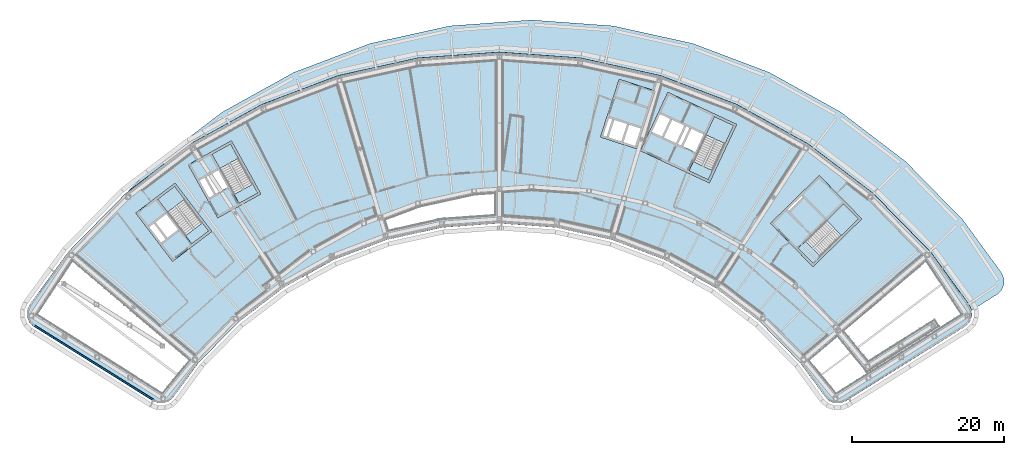
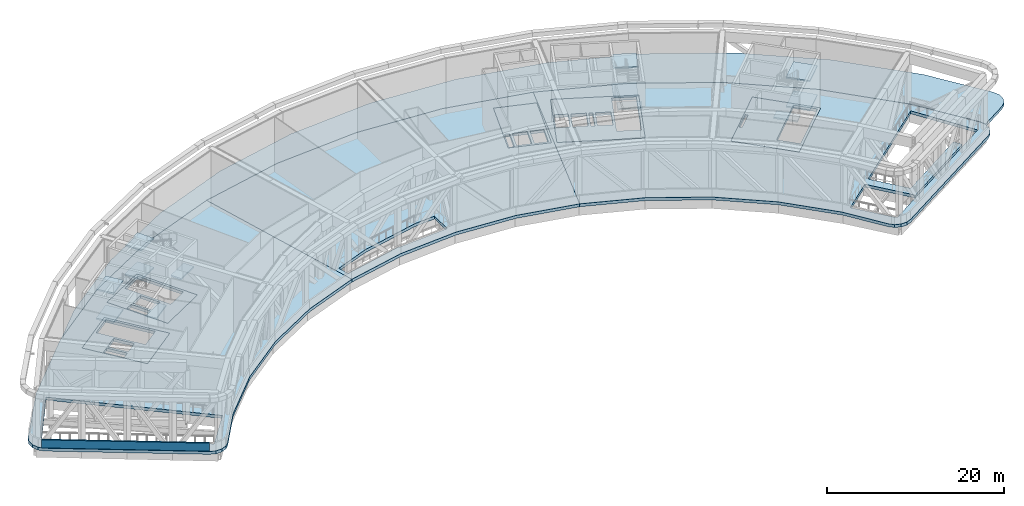
# One storey, part 6 of 24: 21 slabs, 1 wall, 4 elements without a shape of their own.
"""IFC4 building model written with IfcOpenShell, lengths in metres."""

from ifc_helpers import new_model, si_unit, direction, frame, frame_2d, origin, place, context, subcontext, project, spatial, polyline, rectangle, outline, extrude, material, layer, layer_set, type_object, element, aggregate, save


model = new_model("IFC4")

# Units and contexts
model_context = context("Model", 3, precision=1e-05, world=origin(), true_north=direction((0.0, 1.0)))
body_context = subcontext(model_context, "Body", "Model", "MODEL_VIEW")
ifc_project = project(units=[si_unit("LENGTHUNIT", "METRE"), si_unit("AREAUNIT", "SQUARE_METRE"), si_unit("VOLUMEUNIT", "CUBIC_METRE"), si_unit("PLANEANGLEUNIT", "RADIAN"), si_unit("MASSUNIT", "GRAM", prefix="KILO")], contexts=[model_context])

# Site, building, storey
site_placement = place(None, origin())
site = spatial("IfcSite", under=ifc_project, at=site_placement, CompositionType="ELEMENT")
building_placement = place(site_placement, origin())
building = spatial("IfcBuilding", under=site, at=building_placement, Name="Tuul Gate Civic Tower", CompositionType="ELEMENT")
storey_placement = place(building_placement, frame((0.0, 0.0, 277.800048828125)))
storey = spatial("IfcBuildingStorey", under=building, at=storey_placement, Name="Wind floor 2", CompositionType="ELEMENT", Elevation=277.800048828125)

# Slabs
ifc_material_1 = material(Name="Concrete C40/50", Category="concrete")
ifc_layer_1 = layer(ifc_material_1, 0.39990234375)
ifc_layer_set_1 = layer_set([ifc_layer_1], Name="Concrete C40/50")
slab_type_1 = type_object("IfcSlabType", Name="Core floor slab 400", PredefinedType="FLOOR", material=ifc_layer_set_1)
slab_1_placement = place(storey_placement, frame((0.0, 0.0, -0.400146484375)))
element("IfcSlab", 1, at=slab_1_placement, inside=storey, type_object=slab_type_1, Name="FLOOR SLAB", PredefinedType="FLOOR", context=body_context, shape_type="SweptSolid", body=[
    extrude(outline(polyline([(-31.10009765625, -13.7890625), (-35.946044921875, -7.423828125), (-41.11767578125, -11.361572265625), (-36.271484375, -17.726806640625), (-31.10009765625, -13.7890625)]), holes=[polyline([(-35.561767578125, -13.541259765625), (-37.1064453125, -11.512451171875), (-38.498779296875, -12.572509765625), (-36.9541015625, -14.6015625), (-35.561767578125, -13.541259765625)]), polyline([(-37.19287109375, -14.783203125), (-38.737548828125, -12.75439453125), (-39.45361328125, -13.299560546875), (-37.908935546875, -15.328369140625), (-37.19287109375, -14.783203125)]), polyline([(-32.33935546875, -12.65771484375), (-34.56591796875, -14.352783203125), (-38.229736328125, -9.54052734375), (-36.003173828125, -7.845458984375), (-32.33935546875, -12.65771484375)])]), origin(), (0.0, 0.0, 1.0), 0.400146484375),
])
slab_2_placement = place(storey_placement, frame((0.0, 0.0, -0.400146484375)))
element("IfcSlab", 2, at=slab_2_placement, inside=storey, type_object=slab_type_1, Name="FLOOR SLAB", PredefinedType="FLOOR", context=body_context, shape_type="SweptSolid", body=[
    extrude(outline(polyline([(-24.638916015625, -8.846923828125), (-28.51708984375, -1.849853515625), (-34.2021484375, -5.0009765625), (-30.32421875, -11.998046875), (-24.638916015625, -8.846923828125)]), holes=[polyline([(-29.0185546875, -7.958740234375), (-30.254638671875, -5.728515625), (-31.785400390625, -6.576904296875), (-30.54931640625, -8.80712890625), (-29.0185546875, -7.958740234375)]), polyline([(-30.8115234375, -8.95263671875), (-32.047607421875, -6.72216796875), (-32.8349609375, -7.158447265625), (-31.5986328125, -9.388916015625), (-30.8115234375, -8.95263671875)]), polyline([(-25.702392578125, -7.548828125), (-28.14990234375, -8.905517578125), (-31.08203125, -3.615234375), (-28.63427734375, -2.2587890625), (-25.702392578125, -7.548828125)])]), origin(), (0.0, 0.0, 1.0), 0.400146484375),
])
slab_3_placement = place(storey_placement, frame((0.0, 0.0, -0.400146484375)))
element("IfcSlab", 3, at=slab_3_placement, inside=storey, type_object=slab_type_1, Name="FLOOR SLAB", PredefinedType="FLOOR", context=body_context, shape_type="SweptSolid", body=[
    extrude(outline(polyline([(48.117919921875, -18.43310546875), (54.545166015625, -12.1328125), (48.945068359375, -6.419921875), (42.517822265625, -12.719970703125), (48.117919921875, -18.43310546875)]), holes=[polyline([(44.93896484375, -11.046875), (46.760009765625, -9.261962890625), (46.514892578125, -9.011962890625), (44.69384765625, -10.797119140625), (44.93896484375, -11.046875)]), polyline([(49.086181640625, -17.062744140625), (47.12744140625, -15.064208984375), (52.160888671875, -10.130126953125), (54.11962890625, -12.128662109375), (49.086181640625, -17.062744140625)])]), origin(), (0.0, 0.0, 1.0), 0.400146484375),
])
slab_4_placement = place(storey_placement, frame((0.0, 0.0, -0.400146484375)))
element("IfcSlab", 4, at=slab_4_placement, inside=storey, type_object=slab_type_1, Name="FLOOR SLAB", PredefinedType="FLOOR", context=body_context, shape_type="SweptSolid", body=[
    extrude(outline(polyline([(34.465087890625, -7.385986328125), (38.056884765625, 0.31787109375), (28.993896484375, 4.543701171875), (25.40185546875, -3.159912109375), (34.465087890625, -7.385986328125)]), holes=[polyline([(32.60888671875, -3.32080078125), (33.6865234375, -1.009765625), (32.1005859375, -0.27001953125), (31.02294921875, -2.581298828125), (32.60888671875, -3.32080078125)]), polyline([(30.0712890625, -2.137451171875), (31.14892578125, 0.173583984375), (29.562744140625, 0.9130859375), (28.4853515625, -1.39794921875), (30.0712890625, -2.137451171875)]), polyline([(30.751220703125, -2.454345703125), (31.82861328125, -0.143310546875), (31.4208984375, 0.046875), (30.34326171875, -2.264404296875), (30.751220703125, -2.454345703125)]), polyline([(28.21337890625, -1.27099609375), (29.291015625, 1.0400390625), (27.8408203125, 1.71630859375), (26.76318359375, -0.594970703125), (28.21337890625, -1.27099609375)]), polyline([(34.889892578125, -5.7626953125), (32.353759765625, -4.580078125), (35.120849609375, 1.354736328125), (37.6572265625, 0.17236328125), (34.889892578125, -5.7626953125)])]), origin(), (0.0, 0.0, 1.0), 0.400146484375),
])
ifc_material_2 = material(Name="Concrete C40/50", Category="concrete")
ifc_layer_2 = layer(ifc_material_2, 0.39990234375)
ifc_layer_set_2 = layer_set([ifc_layer_2], Name="Concrete C40/50")
slab_type_2 = type_object("IfcSlabType", Name="Core floor slab 400 non-bearing", PredefinedType="FLOOR", material=ifc_layer_set_2)
slab_5_placement = place(storey_placement, frame((0.0, 0.0, -0.400146484375)))
element("IfcSlab", 5, at=slab_5_placement, inside=storey, type_object=slab_type_2, Name="FLOOR SLAB", PredefinedType="FLOOR", context=body_context, shape_type="SweptSolid", body=[
    extrude(outline(polyline([(24.864990234375, -2.888916015625), (27.337890625, 4.71923828125), (22.58251953125, 6.264404296875), (20.109619140625, -1.343994140625), (24.864990234375, -2.888916015625)]), holes=[polyline([(24.67236328125, -2.510986328125), (25.414306640625, -0.228515625), (23.892578125, 0.265869140625), (23.150634765625, -2.0166015625), (24.67236328125, -2.510986328125)]), polyline([(22.865478515625, -1.923828125), (23.607177734375, 0.358642578125), (21.94287109375, 0.8994140625), (21.201171875, -1.383056640625), (22.865478515625, -1.923828125)]), polyline([(20.869384765625, -1.43310546875), (21.65771484375, 0.9921875), (21.0869140625, 1.177490234375), (20.298583984375, -1.24755859375), (20.869384765625, -1.43310546875)])]), origin(), (0.0, 0.0, 1.0), 0.400146484375),
])

# Stair, slabs
ifc_material_3 = material(Name="Concrete C40/50", Category="concrete")
stair_type = type_object("IfcStairType", Name="Exit stair", PredefinedType="HALF_TURN_STAIR", material=ifc_material_3)
stair_1_placement = place(storey_placement, origin())
stair_1 = element("IfcStair", 6, at=stair_1_placement, inside=storey, type_object=stair_type, Name="Wind floor 2 ST-1", PredefinedType="HALF_TURN_STAIR")
ifc_material_4 = material(Name="Concrete C40/50", Category="concrete")
ifc_layer_3 = layer(ifc_material_4, 0.199951171875)
ifc_layer_set_3 = layer_set([ifc_layer_3], Name="Concrete C40/50")
slab_type_3 = type_object("IfcSlabType", Name="Exit stair landing", PredefinedType="LANDING", material=ifc_layer_set_3)
slab_6_placement = place(storey_placement, frame((0.0, 0.0, 1.800048828125)))
slab_6 = element("IfcSlab", 7, at=slab_6_placement, type_object=slab_type_3, Name="ST-1 landing 1", PredefinedType="LANDING", context=body_context, shape_type="SweptSolid", body=[
    extrude(outline(polyline([(-34.699462890625, -9.554931640625), (-36.9287109375, -11.252197265625), (-38.23193359375, -9.540283203125), (-36.0029296875, -7.843017578125), (-34.699462890625, -9.554931640625)])), origin(), (0.0, 0.0, 1.0), 0.199951171875),
])
slab_7_placement = place(storey_placement, frame((0.0, 0.0, 3.800048828125)))
slab_7 = element("IfcSlab", 8, at=slab_7_placement, type_object=slab_type_3, Name="ST-1 landing 2", PredefinedType="LANDING", context=body_context, shape_type="SweptSolid", body=[
    extrude(outline(polyline([(-31.519287109375, -13.732177734375), (-33.748291015625, -15.42919921875), (-34.567138671875, -14.353759765625), (-32.338134765625, -12.65673828125), (-31.519287109375, -13.732177734375)])), origin(), (0.0, 0.0, 1.0), 0.199951171875),
])
slab_8_placement = place(storey_placement, frame((0.0, 0.0, 5.800048828125)))
slab_8 = element("IfcSlab", 9, at=slab_8_placement, type_object=slab_type_3, Name="ST-1 landing 3", PredefinedType="LANDING", context=body_context, shape_type="SweptSolid", body=[
    extrude(outline(polyline([(-34.699462890625, -9.554931640625), (-36.9287109375, -11.252197265625), (-38.23193359375, -9.540283203125), (-36.0029296875, -7.843017578125), (-34.699462890625, -9.554931640625)])), origin(), (0.0, 0.0, 1.0), 0.199951171875),
])
aggregate(stair_1, [slab_6, slab_7, slab_8])

stair_2_placement = place(storey_placement, origin())
stair_2 = element("IfcStair", 10, at=stair_2_placement, inside=storey, type_object=stair_type, Name="Wind floor 2 ST-2", PredefinedType="HALF_TURN_STAIR")
slab_9_placement = place(storey_placement, frame((0.0, 0.0, 1.800048828125)))
slab_9 = element("IfcSlab", 11, at=slab_9_placement, type_object=slab_type_3, Name="ST-2 landing 1", PredefinedType="LANDING", context=body_context, shape_type="SweptSolid", body=[
    extrude(outline(polyline([(-27.5908203125, -4.138427734375), (-30.041015625, -5.49658203125), (-31.084228515625, -3.61474609375), (-28.6337890625, -2.256591796875), (-27.5908203125, -4.138427734375)])), origin(), (0.0, 0.0, 1.0), 0.199951171875),
])
slab_10_placement = place(storey_placement, frame((0.0, 0.0, 3.800048828125)))
slab_10 = element("IfcSlab", 12, at=slab_10_placement, type_object=slab_type_3, Name="ST-2 landing 2", PredefinedType="LANDING", context=body_context, shape_type="SweptSolid", body=[
    extrude(outline(polyline([(-25.045654296875, -8.730224609375), (-27.49609375, -10.08837890625), (-28.1513671875, -8.90625), (-25.700927734375, -7.548095703125), (-25.045654296875, -8.730224609375)])), origin(), (0.0, 0.0, 1.0), 0.199951171875),
])
slab_11_placement = place(storey_placement, frame((0.0, 0.0, 5.800048828125)))
slab_11 = element("IfcSlab", 13, at=slab_11_placement, type_object=slab_type_3, Name="ST-2 landing 3", PredefinedType="LANDING", context=body_context, shape_type="SweptSolid", body=[
    extrude(outline(polyline([(-27.5908203125, -4.138427734375), (-30.041015625, -5.49658203125), (-31.084228515625, -3.61474609375), (-28.6337890625, -2.256591796875), (-27.5908203125, -4.138427734375)])), origin(), (0.0, 0.0, 1.0), 0.199951171875),
])
aggregate(stair_2, [slab_9, slab_10, slab_11])

stair_3_placement = place(storey_placement, origin())
stair_3 = element("IfcStair", 14, at=stair_3_placement, inside=storey, type_object=stair_type, Name="Wind floor 2 ST-3", PredefinedType="HALF_TURN_STAIR")
slab_12_placement = place(storey_placement, frame((0.0, 0.0, 1.800048828125)))
slab_12 = element("IfcSlab", 15, at=slab_12_placement, type_object=slab_type_3, Name="ST-3 landing 1", PredefinedType="LANDING", context=body_context, shape_type="SweptSolid", body=[
    extrude(outline(polyline([(51.871337890625, -14.3349609375), (49.91015625, -12.334228515625), (52.160888671875, -10.1279296875), (54.1220703125, -12.128662109375), (51.871337890625, -14.3349609375)])), origin(), (0.0, 0.0, 1.0), 0.199951171875),
])
slab_13_placement = place(storey_placement, frame((0.0, 0.0, 3.800048828125)))
slab_13 = element("IfcSlab", 16, at=slab_13_placement, type_object=slab_type_3, Name="ST-3 landing 2", PredefinedType="LANDING", context=body_context, shape_type="SweptSolid", body=[
    extrude(outline(polyline([(48.1220703125, -18.010009765625), (46.1611328125, -16.00927734375), (47.126220703125, -15.06298828125), (49.08740234375, -17.063720703125), (48.1220703125, -18.010009765625)])), origin(), (0.0, 0.0, 1.0), 0.199951171875),
])
slab_14_placement = place(storey_placement, frame((0.0, 0.0, 5.800048828125)))
slab_14 = element("IfcSlab", 17, at=slab_14_placement, type_object=slab_type_3, Name="ST-3 landing 3", PredefinedType="LANDING", context=body_context, shape_type="SweptSolid", body=[
    extrude(outline(polyline([(51.871337890625, -14.3349609375), (49.91015625, -12.334228515625), (52.160888671875, -10.1279296875), (54.1220703125, -12.128662109375), (51.871337890625, -14.3349609375)])), origin(), (0.0, 0.0, 1.0), 0.199951171875),
])
aggregate(stair_3, [slab_12, slab_13, slab_14])

stair_4_placement = place(storey_placement, origin())
stair_4 = element("IfcStair", 18, at=stair_4_placement, inside=storey, type_object=stair_type, Name="Wind floor 2 ST-4", PredefinedType="HALF_TURN_STAIR")
slab_15_placement = place(storey_placement, frame((0.0, 0.0, 1.800048828125)))
slab_15 = element("IfcSlab", 19, at=slab_15_placement, type_object=slab_type_3, Name="ST-4 landing 1", PredefinedType="LANDING", context=body_context, shape_type="SweptSolid", body=[
    extrude(outline(polyline([(36.538818359375, -2.230224609375), (33.999755859375, -1.046142578125), (35.1201171875, 1.35693359375), (37.659423828125, 0.173095703125), (36.538818359375, -2.230224609375)])), origin(), (0.0, 0.0, 1.0), 0.199951171875),
])
slab_16_placement = place(storey_placement, frame((0.0, 0.0, 3.800048828125)))
slab_16 = element("IfcSlab", 20, at=slab_16_placement, type_object=slab_type_3, Name="ST-4 landing 2", PredefinedType="LANDING", context=body_context, shape_type="SweptSolid", body=[
    extrude(outline(polyline([(34.3203125, -6.98828125), (31.781005859375, -5.804443359375), (32.352294921875, -4.57958984375), (34.891357421875, -5.763427734375), (34.3203125, -6.98828125)])), origin(), (0.0, 0.0, 1.0), 0.199951171875),
])
slab_17_placement = place(storey_placement, frame((0.0, 0.0, 5.800048828125)))
slab_17 = element("IfcSlab", 21, at=slab_17_placement, type_object=slab_type_3, Name="ST-4 landing 3", PredefinedType="LANDING", context=body_context, shape_type="SweptSolid", body=[
    extrude(outline(polyline([(36.538818359375, -2.230224609375), (33.999755859375, -1.046142578125), (35.1201171875, 1.35693359375), (37.659423828125, 0.173095703125), (36.538818359375, -2.230224609375)])), origin(), (0.0, 0.0, 1.0), 0.199951171875),
])
aggregate(stair_4, [slab_15, slab_16, slab_17])

# Slabs
ifc_material_5 = material(Name="Concrete C35/45", Category="concrete")
ifc_layer_4 = layer(ifc_material_5, 0.39990234375)
ifc_layer_set_4 = layer_set([ifc_layer_4], Name="Concrete C35/45")
slab_type_4 = type_object("IfcSlabType", Name="STR-FLOOR-SLAB-400", PredefinedType="FLOOR", material=ifc_layer_set_4)
slab_18_placement = place(storey_placement, frame((0.0, 0.0, -0.400146484375)))
element("IfcSlab", 22, at=slab_18_placement, inside=storey, type_object=slab_type_4, Name="Wind floor 2/slab/W", PredefinedType="FLOOR", context=body_context, shape_type="SweptSolid", body=[
    extrude(outline(polyline([(-8.02587890625, -14.883056640625), (-14.4599609375, 6.739013671875), (-24.528076171875, 2.930908203125), (-33.943115234375, -2.287109375), (-42.507080078125, -8.80810546875), (-50.04296875, -16.4951171875), (-55.123046875, -23.451904296875), (-55.4599609375, -24.195068359375), (-55.471923828125, -25.010009765625), (-55.156982421875, -25.762939453125), (-54.568115234375, -26.326904296875), (-38.837890625, -36.156005859375), (-38.14404296875, -36.427001953125), (-37.39892578125, -36.424072265625), (-36.70703125, -36.14892578125), (-36.1630859375, -35.639892578125), (-32.833984375, -31.08203125), (-27.580078125, -25.721923828125), (-21.60888671875, -21.176025390625), (-15.0458984375, -17.5380859375), (-8.02587890625, -14.883056640625)]), holes=[polyline([(-54.114013671875, -24.73095703125), (-49.467041015625, -17.7041015625), (-34.06201171875, -30.762939453125), (-37.6298828125, -35.111083984375), (-54.114013671875, -24.73095703125)]), polyline([(-36.27197265625, -17.72705078125), (-41.117919921875, -11.362060546875), (-35.946044921875, -7.424072265625), (-31.10009765625, -13.7890625), (-36.27197265625, -17.72705078125)]), polyline([(-30.323974609375, -11.998046875), (-34.201904296875, -5.0009765625), (-28.51708984375, -1.85009765625), (-24.638916015625, -8.846923828125), (-30.323974609375, -11.998046875)])]), origin(), (0.0, 0.0, 1.0), 0.400146484375),
])
slab_19_placement = place(storey_placement, frame((0.0, 0.0, -0.400146484375)))
element("IfcSlab", 23, at=slab_19_placement, inside=storey, type_object=slab_type_4, Name="Wind floor 2/slab/M", PredefinedType="FLOOR", context=body_context, shape_type="SweptSolid", body=[
    extrude(outline(polyline([(21.60205078125, -14.883056640625), (28.035888671875, 6.739013671875), (17.52392578125, 9.054931640625), (6.7880859375, 9.8330078125), (-3.947998046875, 9.054931640625), (-14.4599609375, 6.739013671875), (-8.02587890625, -14.883056640625), (-0.697021484375, -13.26806640625), (6.7880859375, -12.72607421875), (14.27294921875, -13.26806640625), (21.60205078125, -14.883056640625)]), holes=[polyline([(6.238037109375, -8.780029296875), (6.238037109375, -11.612060546875), (-0.34912109375, -12.090087890625), (-0.364990234375, -12.01806640625), (-0.863037109375, -12.126953125), (-1.3720703125, -12.1640625), (-1.366943359375, -12.238037109375), (-7.81689453125, -13.659912109375), (-8.23095703125, -12.26904296875), (-3.798095703125, -10.593017578125), (3.5380859375, -8.97607421875), (6.238037109375, -8.780029296875)]), polyline([(20.110107421875, -1.343994140625), (22.58203125, 6.264892578125), (27.337890625, 4.719970703125), (24.864990234375, -2.888916015625), (20.110107421875, -1.343994140625)])]), origin(), (0.0, 0.0, 1.0), 0.400146484375),
])
slab_20_placement = place(storey_placement, frame((0.0, 0.0, -0.400146484375)))
element("IfcSlab", 24, at=slab_20_placement, inside=storey, type_object=slab_type_4, Name="Wind floor 2/slab/E", PredefinedType="FLOOR", context=body_context, shape_type="SweptSolid", body=[
    extrude(outline(polyline([(51.719970703125, -36.427001953125), (52.4140625, -36.156005859375), (68.14404296875, -26.326904296875), (68.73388671875, -25.762939453125), (69.048095703125, -25.010009765625), (69.035888671875, -24.195068359375), (68.699951171875, -23.451904296875), (63.618896484375, -16.4951171875), (56.083984375, -8.80810546875), (47.51904296875, -2.287109375), (38.10498046875, 2.930908203125), (28.035888671875, 6.739013671875), (21.60205078125, -14.883056640625), (28.6220703125, -17.5380859375), (35.18603515625, -21.176025390625), (41.156982421875, -25.721923828125), (46.409912109375, -31.08203125), (49.739013671875, -35.639892578125), (50.282958984375, -36.14892578125), (50.97509765625, -36.424072265625), (51.719970703125, -36.427001953125)]), holes=[polyline([(47.637939453125, -30.762939453125), (51.35400390625, -27.612060546875), (54.885009765625, -31.9140625), (55.159912109375, -32.35009765625), (55.215087890625, -32.31591796875), (55.256103515625, -32.365966796875), (55.654052734375, -32.0390625), (64.77490234375, -26.294921875), (64.18896484375, -25.364990234375), (55.448974609375, -30.867919921875), (52.193115234375, -26.90087890625), (63.04296875, -17.7041015625), (67.68994140625, -24.73095703125), (51.2060546875, -35.111083984375), (47.637939453125, -30.762939453125)]), polyline([(42.51806640625, -12.719970703125), (48.945068359375, -6.419921875), (54.544921875, -12.133056640625), (48.117919921875, -18.43310546875), (42.51806640625, -12.719970703125)]), polyline([(25.402099609375, -3.159912109375), (28.993896484375, 4.5439453125), (38.056884765625, 0.318115234375), (34.465087890625, -7.385986328125), (25.402099609375, -3.159912109375)])]), origin(), (0.0, 0.0, 1.0), 0.400146484375),
])
ifc_material_6 = material(Name="Concrete C40/50", Category="concrete")
ifc_layer_5 = layer(ifc_material_6, 0.39990234375)
ifc_layer_set_5 = layer_set([ifc_layer_5], Name="Concrete C40/50")
slab_type_5 = type_object("IfcSlabType", Name="STR-TERRACE-SLAB-400", PredefinedType="ROOF", material=ifc_layer_set_5)
slab_21_placement = place(storey_placement, frame((0.0, 0.0, -0.400146484375)))
element("IfcSlab", 25, at=slab_21_placement, inside=storey, type_object=slab_type_5, Name="terrace 1", PredefinedType="ROOF", context=body_context, shape_type="SweptSolid", body=[
    extrude(outline(polyline([(-38.264892578125, -4.56591796875), (-29.699951171875, 1.955078125), (-20.285888671875, 7.174072265625), (-10.217041015625, 10.98095703125), (0.294921875, 13.298095703125), (11.031005859375, 14.075927734375), (21.76708984375, 13.298095703125), (32.279052734375, 10.98095703125), (42.347900390625, 7.174072265625), (51.761962890625, 1.955078125), (60.325927734375, -4.56591796875), (67.862060546875, -12.2529296875), (72.94189453125, -19.208984375), (73.279052734375, -19.951904296875), (73.291015625, -20.76806640625), (72.97607421875, -21.52001953125), (72.386962890625, -22.0849609375), (69.0302734375, -24.182373046875), (68.699951171875, -23.451904296875), (63.618896484375, -16.4951171875), (56.083984375, -8.80810546875), (47.51904296875, -2.287109375), (38.10498046875, 2.930908203125), (28.035888671875, 6.739013671875), (17.52392578125, 9.054931640625), (6.7880859375, 9.8330078125), (-3.947998046875, 9.054931640625), (-14.4599609375, 6.739013671875), (-24.528076171875, 2.930908203125), (-33.943115234375, -2.287109375), (-42.17626953125, -8.55615234375), (-38.264892578125, -4.56591796875)])), origin(), (0.0, 0.0, 1.0), 0.400146484375),
])

# Wall
ifc_material_7 = material(Name="Concrete C40/50", Category="concrete")
ifc_layer_6 = layer(ifc_material_7, 0.199951171875)
ifc_layer_set_6 = layer_set([ifc_layer_6], Name="Concrete C40/50")
wall_type = type_object("IfcWallType", Name="Crown parapet", PredefinedType="PARAPET", material=ifc_layer_set_6)
wall_placement = place(storey_placement, frame((-54.80859375, -25.999755859375, 0.0), z_axis=(0.0, 0.0, 1.0), x_axis=(0.848047617336, -0.529920030506, 0.0)))
element("IfcWall", 26, at=wall_placement, inside=storey, type_object=wall_type, Name="Parapet", PredefinedType="PARAPET", context=body_context, shape_type="SweptSolid", body=[
    extrude(rectangle(XDim=18.911865234375, YDim=0.199951171875, at=frame_2d((9.4560546875, 0.0))), origin(), (0.0, 0.0, 1.0), 1.099853515625),
])

save(model, "model.ifc")
